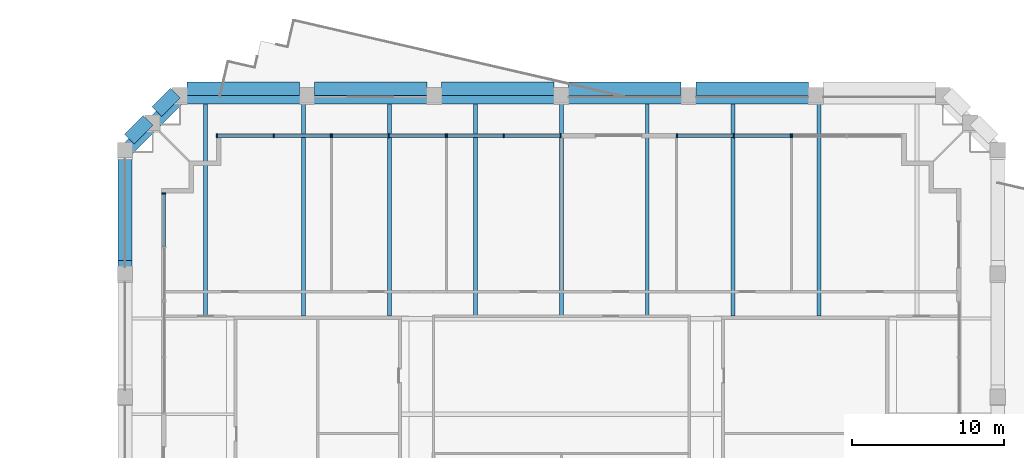
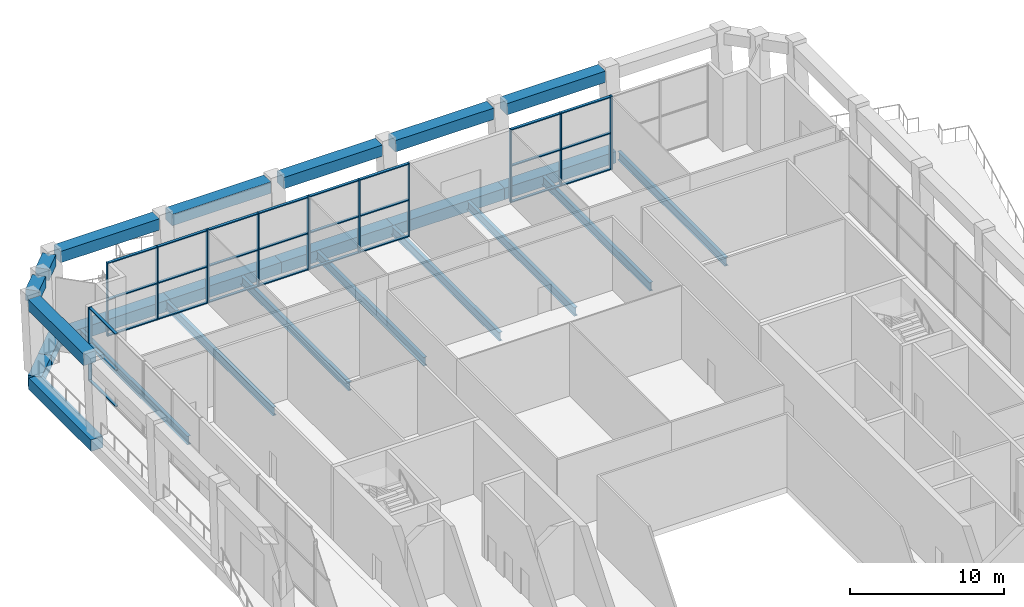
# One storey, part 7 of 20: 41 members, 24 beams, 6 elements without a shape of their own.
"""IFC4 building model written with IfcOpenShell, lengths in metres."""

from ifc_helpers import new_model, si_unit, direction, frame, origin, origin_2d, place, context, subcontext, project, spatial, rectangle, i_section, extrude, material, material_profile, profile_set, type_object, element, aggregate, save


model = new_model("IFC4")

# Units and contexts
model_context = context("Model", 3, precision=1e-05, world=origin(), true_north=direction((0.0, 1.0)))
body_context = subcontext(model_context, "Body", "Model", "MODEL_VIEW")
ifc_project = project(units=[si_unit("LENGTHUNIT", "METRE"), si_unit("AREAUNIT", "SQUARE_METRE"), si_unit("VOLUMEUNIT", "CUBIC_METRE"), si_unit("PLANEANGLEUNIT", "RADIAN"), si_unit("MASSUNIT", "GRAM", prefix="KILO")], contexts=[model_context])

# Site, building, storey
site_placement = place(None, origin())
site = spatial("IfcSite", under=ifc_project, at=site_placement, CompositionType="ELEMENT")
building_placement = place(site_placement, origin())
building = spatial("IfcBuilding", under=site, at=building_placement, Name="Ogive Exchange Tower", CompositionType="ELEMENT")
storey_placement = place(building_placement, frame((0.0, 0.0, 303.0)))
storey = spatial("IfcBuildingStorey", under=building, at=storey_placement, Name="L66", CompositionType="ELEMENT", Elevation=303.0)

# Beams
ifc_material_1 = material(Name="Steel ASTM A992 Gr50", Category="steel")
ifc_material_profile_1 = material_profile(ifc_material_1, i_section(OverallWidth=0.25390625, OverallDepth=0.677978515625, WebThickness=0.01171875, FlangeThickness=0.016357421875, at=origin_2d()), Name="W690x125")
ifc_profile_set_1 = profile_set([ifc_material_profile_1], Name="Steel ASTM A992 Gr50")
beam_type_1 = type_object("IfcBeamType", Name="Floor beam W690x125", PredefinedType="JOIST", material=ifc_profile_set_1)
beam_1_placement = place(storey_placement, frame((-23.360107421875, 40.93408203125, -0.7890625), z_axis=(0.0, 1.0, 0.0), x_axis=(-1.0, 0.0, 0.0)))
element("IfcBeam", 1, at=beam_1_placement, inside=storey, type_object=beam_type_1, Name="Floor beam", PredefinedType="JOIST", context=body_context, shape_type="SweptSolid", body=[
    extrude(i_section(OverallWidth=0.25390625, OverallDepth=0.677978515625, WebThickness=0.01171875, FlangeThickness=0.016357421875, at=origin_2d()), origin(), (0.0, 0.0, 1.0), 14.015869140625),
])
for number, where, z_axis, x_axis, name in (
    (2, (-16.919921875, 41.0, -0.7890625), (0.0, 1.0, 0.0), (-1.0, 0.0, 0.0), "Floor beam"),
    (3, (-11.280029296875, 41.0, -0.7890625), (0.0, 1.0, 0.0), (-1.0, 0.0, 0.0), "Floor beam"),
):
    element("IfcBeam", number, at=place(storey_placement, frame(where, z_axis=z_axis, x_axis=x_axis)), inside=storey, type_object=beam_type_1, Name=name, PredefinedType="JOIST", context=body_context, shape_type="SweptSolid", body=[
        extrude(i_section(OverallWidth=0.25390625, OverallDepth=0.677978515625, WebThickness=0.01171875, FlangeThickness=0.016357421875, at=origin_2d()), origin(), (0.0, 0.0, 1.0), 13.949951171875),
    ])
for number, where, z_axis, x_axis, name in (
    (4, (-5.639892578125, 40.9951171875, -0.7890625), (0.0, 1.0, 0.0), (-1.0, 0.0, 0.0), "Floor beam"),
    (5, (0.0, 40.9951171875, -0.7890625), (0.0, 1.0, 0.0), (-1.0, 0.0, 0.0), "Floor beam"),
    (6, (5.639892578125, 40.9951171875, -0.7890625), (0.0, 1.0, 0.0), (-1.0, 0.0, 0.0), "Floor beam"),
):
    element("IfcBeam", number, at=place(storey_placement, frame(where, z_axis=z_axis, x_axis=x_axis)), inside=storey, type_object=beam_type_1, Name=name, PredefinedType="JOIST", context=body_context, shape_type="SweptSolid", body=[
        extrude(i_section(OverallWidth=0.25390625, OverallDepth=0.677978515625, WebThickness=0.01171875, FlangeThickness=0.016357421875, at=origin_2d()), origin(), (0.0, 0.0, 1.0), 13.954833984375),
    ])
for number, where, z_axis, x_axis, name in (
    (7, (11.280029296875, 41.0, -0.7890625), (0.0, 1.0, 0.0), (-1.0, 0.0, 0.0), "Floor beam"),
    (8, (16.919921875, 41.0, -0.7890625), (0.0, 1.0, 0.0), (-1.0, 0.0, 0.0), "Floor beam"),
):
    element("IfcBeam", number, at=place(storey_placement, frame(where, z_axis=z_axis, x_axis=x_axis)), inside=storey, type_object=beam_type_1, Name=name, PredefinedType="JOIST", context=body_context, shape_type="SweptSolid", body=[
        extrude(i_section(OverallWidth=0.25390625, OverallDepth=0.677978515625, WebThickness=0.01171875, FlangeThickness=0.016357421875, at=origin_2d()), origin(), (0.0, 0.0, 1.0), 13.949951171875),
    ])
ifc_material_2 = material(Name="Precast concrete C70/85 (limestone faced)", Category="masonry")
ifc_material_profile_2 = material_profile(ifc_material_2, rectangle(XDim=0.89990234375, YDim=0.89990234375, at=origin_2d()), Name="900 x 900")
ifc_profile_set_2 = profile_set([ifc_material_profile_2], Name="Precast concrete C70/85 (limestone faced)")
beam_type_2 = type_object("IfcBeamType", Name="Precast spandrel 900 x 900 C70/85", PredefinedType="SPANDREL", material=ifc_profile_set_2)
beam_2_placement = place(storey_placement, frame((16.219970703125, 55.945556640625, 5.300048828125), z_axis=(-1.0, 0.0, 0.0), x_axis=(0.0, -1.0, 0.0)))
element("IfcBeam", 9, at=beam_2_placement, inside=storey, type_object=beam_type_2, Name="Spandrel 19", PredefinedType="SPANDREL", context=body_context, shape_type="SweptSolid", body=[
    extrude(rectangle(XDim=0.89990234375, YDim=0.89990234375, at=origin_2d()), origin(), (0.0, 0.0, 1.0), 7.389892578125),
])
for number, where, z_axis, x_axis, name in (
    (10, (7.8701171875, 55.945556640625, 5.300048828125), (-1.0, 0.0, 0.0), (0.0, -1.0, 0.0), "Spandrel 20"),
    (11, (-0.47998046875, 55.945556640625, 5.300048828125), (-1.0, 0.0, 0.0), (0.0, -1.0, 0.0), "Spandrel 21"),
):
    element("IfcBeam", number, at=place(storey_placement, frame(where, z_axis=z_axis, x_axis=x_axis)), inside=storey, type_object=beam_type_2, Name=name, PredefinedType="SPANDREL", context=body_context, shape_type="SweptSolid", body=[
        extrude(rectangle(XDim=0.89990234375, YDim=0.89990234375, at=origin_2d()), origin(), (0.0, 0.0, 1.0), 7.39013671875),
    ])
beam_3_placement = place(storey_placement, frame((-8.830078125, 55.945556640625, 5.300048828125), z_axis=(-1.0, 0.0, 0.0), x_axis=(0.0, -1.0, 0.0)))
element("IfcBeam", 12, at=beam_3_placement, inside=storey, type_object=beam_type_2, Name="Spandrel 22", PredefinedType="SPANDREL", context=body_context, shape_type="SweptSolid", body=[
    extrude(rectangle(XDim=0.89990234375, YDim=0.89990234375, at=origin_2d()), origin(), (0.0, 0.0, 1.0), 7.389892578125),
])
beam_4_placement = place(storey_placement, frame((-17.179931640625, 55.945556640625, 5.300048828125), z_axis=(-1.0, 0.0, 0.0), x_axis=(0.0, -1.0, 0.0)))
element("IfcBeam", 13, at=beam_4_placement, inside=storey, type_object=beam_type_2, Name="Spandrel 23", PredefinedType="SPANDREL", context=body_context, shape_type="SweptSolid", body=[
    extrude(rectangle(XDim=0.89990234375, YDim=0.89990234375, at=origin_2d()), origin(), (0.0, 0.0, 1.0), 7.39013671875),
])
for number, where, z_axis, x_axis, name in (
    (14, (-25.337890625, 55.65771484375, 5.300048828125), (-0.707036271462, -0.707177283881, 0.0), (0.707177283881, -0.707036271462, 0.0), "Spandrel 24"),
    (15, (-27.137939453125, 53.857666015625, 5.300048828125), (-0.707036271462, -0.707177283881, 0.0), (0.707177283881, -0.707036271462, 0.0), "Spandrel 25"),
):
    element("IfcBeam", number, at=place(storey_placement, frame(where, z_axis=z_axis, x_axis=x_axis)), inside=storey, type_object=beam_type_2, Name=name, PredefinedType="SPANDREL", context=body_context, shape_type="SweptSolid", body=[
        extrude(rectangle(XDim=0.89990234375, YDim=0.89990234375, at=origin_2d()), origin(), (0.0, 0.0, 1.0), 1.7314453125),
    ])
beam_5_placement = place(storey_placement, frame((-28.64990234375, 51.865478515625, 5.300048828125), z_axis=(0.0, -1.0, 0.0), x_axis=(1.0, 0.0, 0.0)))
element("IfcBeam", 16, at=beam_5_placement, inside=storey, type_object=beam_type_2, Name="Spandrel 26", PredefinedType="SPANDREL", context=body_context, shape_type="SweptSolid", body=[
    extrude(rectangle(XDim=0.89990234375, YDim=0.89990234375, at=origin_2d()), origin(), (0.0, 0.0, 1.0), 7.20361328125),
])
ifc_material_profile_3 = material_profile(ifc_material_2, rectangle(XDim=0.89990234375, YDim=0.89990234375, at=origin_2d()), Name="900 x 900")
ifc_profile_set_3 = profile_set([ifc_material_profile_3], Name="Precast concrete C70/85 (limestone faced)")
beam_type_3 = type_object("IfcBeamType", Name="Precast transfer girder 900 x 900 C70/85", PredefinedType="BEAM", material=ifc_profile_set_3)
beam_6_placement = place(storey_placement, frame((16.699951171875, 55.39990234375, -0.89990234375), z_axis=(-1.0, 0.0, 0.0), x_axis=(0.0, -1.0, 0.0)))
element("IfcBeam", 17, at=beam_6_placement, inside=storey, type_object=beam_type_3, Name="Transfer girder 19", PredefinedType="BEAM", context=body_context, shape_type="SweptSolid", body=[
    extrude(rectangle(XDim=0.89990234375, YDim=0.89990234375, at=origin_2d()), origin(), (0.0, 0.0, 1.0), 8.349853515625),
])
for number, where, z_axis, x_axis, name in (
    (18, (8.35009765625, 55.39990234375, -0.89990234375), (-1.0, 0.0, 0.0), (0.0, -1.0, 0.0), "Transfer girder 20"),
    (19, (0.0, 55.39990234375, -0.89990234375), (-1.0, 0.0, 0.0), (0.0, -1.0, 0.0), "Transfer girder 21"),
):
    element("IfcBeam", number, at=place(storey_placement, frame(where, z_axis=z_axis, x_axis=x_axis)), inside=storey, type_object=beam_type_3, Name=name, PredefinedType="BEAM", context=body_context, shape_type="SweptSolid", body=[
        extrude(rectangle(XDim=0.89990234375, YDim=0.89990234375, at=origin_2d()), origin(), (0.0, 0.0, 1.0), 8.35009765625),
    ])
beam_7_placement = place(storey_placement, frame((-8.35009765625, 55.39990234375, -0.89990234375), z_axis=(-1.0, 0.0, 0.0), x_axis=(0.0, -1.0, 0.0)))
element("IfcBeam", 20, at=beam_7_placement, inside=storey, type_object=beam_type_3, Name="Transfer girder 22", PredefinedType="BEAM", context=body_context, shape_type="SweptSolid", body=[
    extrude(rectangle(XDim=0.89990234375, YDim=0.89990234375, at=origin_2d()), origin(), (0.0, 0.0, 1.0), 8.349853515625),
])
beam_8_placement = place(storey_placement, frame((-16.699951171875, 55.39990234375, -0.89990234375), z_axis=(-1.0, 0.0, 0.0), x_axis=(0.0, -1.0, 0.0)))
element("IfcBeam", 21, at=beam_8_placement, inside=storey, type_object=beam_type_3, Name="Transfer girder 23", PredefinedType="BEAM", context=body_context, shape_type="SweptSolid", body=[
    extrude(rectangle(XDim=0.89990234375, YDim=0.89990234375, at=origin_2d()), origin(), (0.0, 0.0, 1.0), 8.35009765625),
])
for number, where, z_axis, x_axis, name in (
    (22, (-25.050048828125, 55.39990234375, -0.89990234375), (-0.707154735259, -0.707058823862, 0.0), (0.707058823862, -0.707154735259, 0.0), "Transfer girder 24"),
    (23, (-26.85009765625, 53.60009765625, -0.89990234375), (-0.707058823862, -0.707154735259, 0.0), (0.707154735259, -0.707058823862, 0.0), "Transfer girder 25"),
):
    element("IfcBeam", number, at=place(storey_placement, frame(where, z_axis=z_axis, x_axis=x_axis)), inside=storey, type_object=beam_type_3, Name=name, PredefinedType="BEAM", context=body_context, shape_type="SweptSolid", body=[
        extrude(rectangle(XDim=0.89990234375, YDim=0.89990234375, at=origin_2d()), origin(), (0.0, 0.0, 1.0), 2.54541015625),
    ])
beam_9_placement = place(storey_placement, frame((-28.64990234375, 51.800048828125, -0.89990234375), z_axis=(0.0, -1.0, 0.0), x_axis=(1.0, 0.0, 0.0)))
element("IfcBeam", 24, at=beam_9_placement, inside=storey, type_object=beam_type_3, Name="Transfer girder 26", PredefinedType="BEAM", context=body_context, shape_type="SweptSolid", body=[
    extrude(rectangle(XDim=0.89990234375, YDim=0.89990234375, at=origin_2d()), origin(), (0.0, 0.0, 1.0), 8.085693359375),
])

# Curtain wall, member
ifc_material_3 = material(Name="Anodised aluminium and clear glass", Category="aluminium")
curtain_wall_type = type_object("IfcCurtainWallType", Name="Winter garden glazing", PredefinedType="NOTDEFINED", material=ifc_material_3)
curtain_wall_1_placement = place(storey_placement, origin())
curtain_wall_1 = element("IfcCurtainWall", 25, at=curtain_wall_1_placement, inside=storey, type_object=curtain_wall_type, Name="Winter garden glazing run G14", PredefinedType="NOTDEFINED")
ifc_material_4 = material(Name="Anodised aluminium", Category="aluminium")
ifc_material_profile_4 = material_profile(ifc_material_4, rectangle(XDim=0.239990234375, YDim=0.080078125, at=origin_2d()), Name="AL 80x240")
ifc_profile_set_4 = profile_set([ifc_material_profile_4], Name="Anodised aluminium")
member_type_1 = type_object("IfcMemberType", Name="Winter garden glazing mullion 80 x 240", PredefinedType="MULLION", material=ifc_profile_set_4)
member_1_placement = place(storey_placement, frame((15.139892578125, 52.85009765625, 0.0), z_axis=(0.0, 0.0, 1.0), x_axis=(0.0, -1.0, 0.0)))
member_1 = element("IfcMember", 26, at=member_1_placement, type_object=member_type_1, Name="G14 mullion 3", PredefinedType="MULLION", context=body_context, shape_type="SweptSolid", body=[
    extrude(rectangle(XDim=0.239990234375, YDim=0.080078125, at=origin_2d()), origin(), (0.0, 0.0, 1.0), 5.800048828125),
])
aggregate(curtain_wall_1, [member_1])

# Curtain wall, members
curtain_wall_2_placement = place(storey_placement, origin())
curtain_wall_2 = element("IfcCurtainWall", 27, at=curtain_wall_2_placement, inside=storey, type_object=curtain_wall_type, Name="Winter garden glazing run G15", PredefinedType="NOTDEFINED")
member_2_placement = place(storey_placement, frame((15.06005859375, 52.85009765625, 0.0), z_axis=(0.0, 0.0, 1.0), x_axis=(0.0, -1.0, 0.0)))
member_2 = element("IfcMember", 28, at=member_2_placement, type_object=member_type_1, Name="G15 mullion 1", PredefinedType="MULLION", context=body_context, shape_type="SweptSolid", body=[
    extrude(rectangle(XDim=0.239990234375, YDim=0.080078125, at=origin_2d()), origin(), (0.0, 0.0, 1.0), 5.800048828125),
])
member_3_placement = place(storey_placement, frame((11.324951171875, 52.85009765625, 0.0), z_axis=(0.0, 0.0, 1.0), x_axis=(0.0, -1.0, 0.0)))
member_3 = element("IfcMember", 29, at=member_3_placement, type_object=member_type_1, Name="G15 mullion 2", PredefinedType="MULLION", context=body_context, shape_type="SweptSolid", body=[
    extrude(rectangle(XDim=0.239990234375, YDim=0.080078125, at=origin_2d()), origin(), (0.0, 0.0, 1.0), 5.800048828125),
])
member_4_placement = place(storey_placement, frame((7.590087890625, 52.85009765625, 0.0), z_axis=(0.0, 0.0, 1.0), x_axis=(0.0, -1.0, 0.0)))
member_4 = element("IfcMember", 30, at=member_4_placement, type_object=member_type_1, Name="G15 mullion 3", PredefinedType="MULLION", context=body_context, shape_type="SweptSolid", body=[
    extrude(rectangle(XDim=0.239990234375, YDim=0.080078125, at=origin_2d()), origin(), (0.0, 0.0, 1.0), 5.800048828125),
])

curtain_wall_3_placement = place(storey_placement, origin())
curtain_wall_3 = element("IfcCurtainWall", 31, at=curtain_wall_3_placement, inside=storey, type_object=curtain_wall_type, Name="Winter garden glazing run G17", PredefinedType="NOTDEFINED")
member_5_placement = place(storey_placement, frame((-0.0400390625, 52.85009765625, 0.0), z_axis=(0.0, 0.0, 1.0), x_axis=(0.0, -1.0, 0.0)))
member_5 = element("IfcMember", 32, at=member_5_placement, type_object=member_type_1, Name="G17 mullion 1", PredefinedType="MULLION", context=body_context, shape_type="SweptSolid", body=[
    extrude(rectangle(XDim=0.239990234375, YDim=0.080078125, at=origin_2d()), origin(), (0.0, 0.0, 1.0), 5.800048828125),
])
member_6_placement = place(storey_placement, frame((-3.77490234375, 52.85009765625, 0.0), z_axis=(0.0, 0.0, 1.0), x_axis=(0.0, -1.0, 0.0)))
member_6 = element("IfcMember", 33, at=member_6_placement, type_object=member_type_1, Name="G17 mullion 2", PredefinedType="MULLION", context=body_context, shape_type="SweptSolid", body=[
    extrude(rectangle(XDim=0.239990234375, YDim=0.080078125, at=origin_2d()), origin(), (0.0, 0.0, 1.0), 5.800048828125),
])
member_7_placement = place(storey_placement, frame((-7.510009765625, 52.85009765625, 0.0), z_axis=(0.0, 0.0, 1.0), x_axis=(0.0, -1.0, 0.0)))
member_7 = element("IfcMember", 34, at=member_7_placement, type_object=member_type_1, Name="G17 mullion 3", PredefinedType="MULLION", context=body_context, shape_type="SweptSolid", body=[
    extrude(rectangle(XDim=0.239990234375, YDim=0.080078125, at=origin_2d()), origin(), (0.0, 0.0, 1.0), 5.800048828125),
])

curtain_wall_4_placement = place(storey_placement, origin())
curtain_wall_4 = element("IfcCurtainWall", 35, at=curtain_wall_4_placement, inside=storey, type_object=curtain_wall_type, Name="Winter garden glazing run G18", PredefinedType="NOTDEFINED")
member_8_placement = place(storey_placement, frame((-7.590087890625, 52.85009765625, 0.0), z_axis=(0.0, 0.0, 1.0), x_axis=(0.0, -1.0, 0.0)))
member_8 = element("IfcMember", 36, at=member_8_placement, type_object=member_type_1, Name="G18 mullion 1", PredefinedType="MULLION", context=body_context, shape_type="SweptSolid", body=[
    extrude(rectangle(XDim=0.239990234375, YDim=0.080078125, at=origin_2d()), origin(), (0.0, 0.0, 1.0), 5.800048828125),
])
member_9_placement = place(storey_placement, frame((-11.324951171875, 52.85009765625, 0.0), z_axis=(0.0, 0.0, 1.0), x_axis=(0.0, -1.0, 0.0)))
member_9 = element("IfcMember", 37, at=member_9_placement, type_object=member_type_1, Name="G18 mullion 2", PredefinedType="MULLION", context=body_context, shape_type="SweptSolid", body=[
    extrude(rectangle(XDim=0.239990234375, YDim=0.080078125, at=origin_2d()), origin(), (0.0, 0.0, 1.0), 5.800048828125),
])
member_10_placement = place(storey_placement, frame((-15.06005859375, 52.85009765625, 0.0), z_axis=(0.0, 0.0, 1.0), x_axis=(0.0, -1.0, 0.0)))
member_10 = element("IfcMember", 38, at=member_10_placement, type_object=member_type_1, Name="G18 mullion 3", PredefinedType="MULLION", context=body_context, shape_type="SweptSolid", body=[
    extrude(rectangle(XDim=0.239990234375, YDim=0.080078125, at=origin_2d()), origin(), (0.0, 0.0, 1.0), 5.800048828125),
])

curtain_wall_5_placement = place(storey_placement, origin())
curtain_wall_5 = element("IfcCurtainWall", 39, at=curtain_wall_5_placement, inside=storey, type_object=curtain_wall_type, Name="Winter garden glazing run G19", PredefinedType="NOTDEFINED")
member_11_placement = place(storey_placement, frame((-15.139892578125, 52.85009765625, 0.0), z_axis=(0.0, 0.0, 1.0), x_axis=(0.0, -1.0, 0.0)))
member_11 = element("IfcMember", 40, at=member_11_placement, type_object=member_type_1, Name="G19 mullion 1", PredefinedType="MULLION", context=body_context, shape_type="SweptSolid", body=[
    extrude(rectangle(XDim=0.239990234375, YDim=0.080078125, at=origin_2d()), origin(), (0.0, 0.0, 1.0), 5.800048828125),
])
member_12_placement = place(storey_placement, frame((-18.875, 52.85009765625, 0.0), z_axis=(0.0, 0.0, 1.0), x_axis=(0.0, -1.0, 0.0)))
member_12 = element("IfcMember", 41, at=member_12_placement, type_object=member_type_1, Name="G19 mullion 2", PredefinedType="MULLION", context=body_context, shape_type="SweptSolid", body=[
    extrude(rectangle(XDim=0.239990234375, YDim=0.080078125, at=origin_2d()), origin(), (0.0, 0.0, 1.0), 5.800048828125),
])
member_13_placement = place(storey_placement, frame((-22.610107421875, 52.85009765625, 0.0), z_axis=(0.0, 0.0, 1.0), x_axis=(0.0, -1.0, 0.0)))
member_13 = element("IfcMember", 42, at=member_13_placement, type_object=member_type_1, Name="G19 mullion 3", PredefinedType="MULLION", context=body_context, shape_type="SweptSolid", body=[
    extrude(rectangle(XDim=0.239990234375, YDim=0.080078125, at=origin_2d()), origin(), (0.0, 0.0, 1.0), 5.800048828125),
])

# Curtain wall, member
curtain_wall_6_placement = place(storey_placement, origin())
curtain_wall_6 = element("IfcCurtainWall", 43, at=curtain_wall_6_placement, inside=storey, type_object=curtain_wall_type, Name="Winter garden glazing run G20", PredefinedType="NOTDEFINED")
member_14_placement = place(storey_placement, frame((-26.10009765625, 49.06005859375, 0.0), z_axis=(0.0, 0.0, 1.0), x_axis=(1.0, 0.0, 0.0)))
member_14 = element("IfcMember", 44, at=member_14_placement, type_object=member_type_1, Name="G20 mullion 1", PredefinedType="MULLION", context=body_context, shape_type="SweptSolid", body=[
    extrude(rectangle(XDim=0.239990234375, YDim=0.080078125, at=origin_2d()), origin(), (0.0, 0.0, 1.0), 5.800048828125),
])

# Member
ifc_material_profile_5 = material_profile(ifc_material_4, rectangle(XDim=0.199951171875, YDim=0.080078125, at=origin_2d()), Name="AL 80x200")
ifc_profile_set_5 = profile_set([ifc_material_profile_5], Name="Anodised aluminium")
member_type_2 = type_object("IfcMemberType", Name="Winter garden glazing transom 80 x 200", PredefinedType="USERDEFINED", material=ifc_profile_set_5)
member_15_placement = place(storey_placement, frame((15.02001953125, 52.85009765625, 0.0400390625), z_axis=(-1.0, 0.0, 0.0), x_axis=(0.0, -1.0, 0.0)))
member_15 = element("IfcMember", 45, at=member_15_placement, type_object=member_type_2, Name="G15 transom 1.1", ObjectType="TRANSOM", PredefinedType="USERDEFINED", context=body_context, shape_type="SweptSolid", body=[
    extrude(rectangle(XDim=0.199951171875, YDim=0.080078125, at=origin_2d()), origin(), (0.0, 0.0, 1.0), 3.655029296875),
])

member_16_placement = place(storey_placement, frame((15.02001953125, 52.85009765625, 2.89990234375), z_axis=(-1.0, 0.0, 0.0), x_axis=(0.0, -1.0, 0.0)))
member_16 = element("IfcMember", 46, at=member_16_placement, type_object=member_type_2, Name="G15 transom 1.2", ObjectType="TRANSOM", PredefinedType="USERDEFINED", context=body_context, shape_type="SweptSolid", body=[
    extrude(rectangle(XDim=0.199951171875, YDim=0.080078125, at=origin_2d()), origin(), (0.0, 0.0, 1.0), 3.655029296875),
])

member_17_placement = place(storey_placement, frame((15.02001953125, 52.85009765625, 5.760009765625), z_axis=(-1.0, 0.0, 0.0), x_axis=(0.0, -1.0, 0.0)))
member_17 = element("IfcMember", 47, at=member_17_placement, type_object=member_type_2, Name="G15 transom 1.3", ObjectType="TRANSOM", PredefinedType="USERDEFINED", context=body_context, shape_type="SweptSolid", body=[
    extrude(rectangle(XDim=0.199951171875, YDim=0.080078125, at=origin_2d()), origin(), (0.0, 0.0, 1.0), 3.655029296875),
])

member_18_placement = place(storey_placement, frame((11.284912109375, 52.85009765625, 0.0400390625), z_axis=(-1.0, 0.0, 0.0), x_axis=(0.0, -1.0, 0.0)))
member_18 = element("IfcMember", 48, at=member_18_placement, type_object=member_type_2, Name="G15 transom 2.1", ObjectType="TRANSOM", PredefinedType="USERDEFINED", context=body_context, shape_type="SweptSolid", body=[
    extrude(rectangle(XDim=0.199951171875, YDim=0.080078125, at=origin_2d()), origin(), (0.0, 0.0, 1.0), 3.655029296875),
])

member_19_placement = place(storey_placement, frame((11.284912109375, 52.85009765625, 2.89990234375), z_axis=(-1.0, 0.0, 0.0), x_axis=(0.0, -1.0, 0.0)))
member_19 = element("IfcMember", 49, at=member_19_placement, type_object=member_type_2, Name="G15 transom 2.2", ObjectType="TRANSOM", PredefinedType="USERDEFINED", context=body_context, shape_type="SweptSolid", body=[
    extrude(rectangle(XDim=0.199951171875, YDim=0.080078125, at=origin_2d()), origin(), (0.0, 0.0, 1.0), 3.655029296875),
])

member_20_placement = place(storey_placement, frame((11.284912109375, 52.85009765625, 5.760009765625), z_axis=(-1.0, 0.0, 0.0), x_axis=(0.0, -1.0, 0.0)))
member_20 = element("IfcMember", 50, at=member_20_placement, type_object=member_type_2, Name="G15 transom 2.3", ObjectType="TRANSOM", PredefinedType="USERDEFINED", context=body_context, shape_type="SweptSolid", body=[
    extrude(rectangle(XDim=0.199951171875, YDim=0.080078125, at=origin_2d()), origin(), (0.0, 0.0, 1.0), 3.655029296875),
])

aggregate(curtain_wall_2, [member_2, member_3, member_4, member_15, member_16, member_17, member_18, member_19, member_20])

member_21_placement = place(storey_placement, frame((-0.080078125, 52.85009765625, 0.0400390625), z_axis=(-1.0, 0.0, 0.0), x_axis=(0.0, -1.0, 0.0)))
member_21 = element("IfcMember", 51, at=member_21_placement, type_object=member_type_2, Name="G17 transom 1.1", ObjectType="TRANSOM", PredefinedType="USERDEFINED", context=body_context, shape_type="SweptSolid", body=[
    extrude(rectangle(XDim=0.199951171875, YDim=0.080078125, at=origin_2d()), origin(), (0.0, 0.0, 1.0), 3.655029296875),
])

member_22_placement = place(storey_placement, frame((-0.080078125, 52.85009765625, 2.89990234375), z_axis=(-1.0, 0.0, 0.0), x_axis=(0.0, -1.0, 0.0)))
member_22 = element("IfcMember", 52, at=member_22_placement, type_object=member_type_2, Name="G17 transom 1.2", ObjectType="TRANSOM", PredefinedType="USERDEFINED", context=body_context, shape_type="SweptSolid", body=[
    extrude(rectangle(XDim=0.199951171875, YDim=0.080078125, at=origin_2d()), origin(), (0.0, 0.0, 1.0), 3.655029296875),
])

member_23_placement = place(storey_placement, frame((-0.080078125, 52.85009765625, 5.760009765625), z_axis=(-1.0, 0.0, 0.0), x_axis=(0.0, -1.0, 0.0)))
member_23 = element("IfcMember", 53, at=member_23_placement, type_object=member_type_2, Name="G17 transom 1.3", ObjectType="TRANSOM", PredefinedType="USERDEFINED", context=body_context, shape_type="SweptSolid", body=[
    extrude(rectangle(XDim=0.199951171875, YDim=0.080078125, at=origin_2d()), origin(), (0.0, 0.0, 1.0), 3.655029296875),
])

member_24_placement = place(storey_placement, frame((-3.81494140625, 52.85009765625, 0.0400390625), z_axis=(-1.0, 0.0, 0.0), x_axis=(0.0, -1.0, 0.0)))
member_24 = element("IfcMember", 54, at=member_24_placement, type_object=member_type_2, Name="G17 transom 2.1", ObjectType="TRANSOM", PredefinedType="USERDEFINED", context=body_context, shape_type="SweptSolid", body=[
    extrude(rectangle(XDim=0.199951171875, YDim=0.080078125, at=origin_2d()), origin(), (0.0, 0.0, 1.0), 3.655029296875),
])

member_25_placement = place(storey_placement, frame((-3.81494140625, 52.85009765625, 2.89990234375), z_axis=(-1.0, 0.0, 0.0), x_axis=(0.0, -1.0, 0.0)))
member_25 = element("IfcMember", 55, at=member_25_placement, type_object=member_type_2, Name="G17 transom 2.2", ObjectType="TRANSOM", PredefinedType="USERDEFINED", context=body_context, shape_type="SweptSolid", body=[
    extrude(rectangle(XDim=0.199951171875, YDim=0.080078125, at=origin_2d()), origin(), (0.0, 0.0, 1.0), 3.655029296875),
])

member_26_placement = place(storey_placement, frame((-3.81494140625, 52.85009765625, 5.760009765625), z_axis=(-1.0, 0.0, 0.0), x_axis=(0.0, -1.0, 0.0)))
member_26 = element("IfcMember", 56, at=member_26_placement, type_object=member_type_2, Name="G17 transom 2.3", ObjectType="TRANSOM", PredefinedType="USERDEFINED", context=body_context, shape_type="SweptSolid", body=[
    extrude(rectangle(XDim=0.199951171875, YDim=0.080078125, at=origin_2d()), origin(), (0.0, 0.0, 1.0), 3.655029296875),
])

aggregate(curtain_wall_3, [member_5, member_6, member_7, member_21, member_22, member_23, member_24, member_25, member_26])

member_27_placement = place(storey_placement, frame((-7.6298828125, 52.85009765625, 0.0400390625), z_axis=(-1.0, 0.0, 0.0), x_axis=(0.0, -1.0, 0.0)))
member_27 = element("IfcMember", 57, at=member_27_placement, type_object=member_type_2, Name="G18 transom 1.1", ObjectType="TRANSOM", PredefinedType="USERDEFINED", context=body_context, shape_type="SweptSolid", body=[
    extrude(rectangle(XDim=0.199951171875, YDim=0.080078125, at=origin_2d()), origin(), (0.0, 0.0, 1.0), 3.655029296875),
])

member_28_placement = place(storey_placement, frame((-7.6298828125, 52.85009765625, 2.89990234375), z_axis=(-1.0, 0.0, 0.0), x_axis=(0.0, -1.0, 0.0)))
member_28 = element("IfcMember", 58, at=member_28_placement, type_object=member_type_2, Name="G18 transom 1.2", ObjectType="TRANSOM", PredefinedType="USERDEFINED", context=body_context, shape_type="SweptSolid", body=[
    extrude(rectangle(XDim=0.199951171875, YDim=0.080078125, at=origin_2d()), origin(), (0.0, 0.0, 1.0), 3.655029296875),
])

member_29_placement = place(storey_placement, frame((-7.6298828125, 52.85009765625, 5.760009765625), z_axis=(-1.0, 0.0, 0.0), x_axis=(0.0, -1.0, 0.0)))
member_29 = element("IfcMember", 59, at=member_29_placement, type_object=member_type_2, Name="G18 transom 1.3", ObjectType="TRANSOM", PredefinedType="USERDEFINED", context=body_context, shape_type="SweptSolid", body=[
    extrude(rectangle(XDim=0.199951171875, YDim=0.080078125, at=origin_2d()), origin(), (0.0, 0.0, 1.0), 3.655029296875),
])

member_30_placement = place(storey_placement, frame((-11.364990234375, 52.85009765625, 0.0400390625), z_axis=(-1.0, 0.0, 0.0), x_axis=(0.0, -1.0, 0.0)))
member_30 = element("IfcMember", 60, at=member_30_placement, type_object=member_type_2, Name="G18 transom 2.1", ObjectType="TRANSOM", PredefinedType="USERDEFINED", context=body_context, shape_type="SweptSolid", body=[
    extrude(rectangle(XDim=0.199951171875, YDim=0.080078125, at=origin_2d()), origin(), (0.0, 0.0, 1.0), 3.655029296875),
])

member_31_placement = place(storey_placement, frame((-11.364990234375, 52.85009765625, 2.89990234375), z_axis=(-1.0, 0.0, 0.0), x_axis=(0.0, -1.0, 0.0)))
member_31 = element("IfcMember", 61, at=member_31_placement, type_object=member_type_2, Name="G18 transom 2.2", ObjectType="TRANSOM", PredefinedType="USERDEFINED", context=body_context, shape_type="SweptSolid", body=[
    extrude(rectangle(XDim=0.199951171875, YDim=0.080078125, at=origin_2d()), origin(), (0.0, 0.0, 1.0), 3.655029296875),
])

member_32_placement = place(storey_placement, frame((-11.364990234375, 52.85009765625, 5.760009765625), z_axis=(-1.0, 0.0, 0.0), x_axis=(0.0, -1.0, 0.0)))
member_32 = element("IfcMember", 62, at=member_32_placement, type_object=member_type_2, Name="G18 transom 2.3", ObjectType="TRANSOM", PredefinedType="USERDEFINED", context=body_context, shape_type="SweptSolid", body=[
    extrude(rectangle(XDim=0.199951171875, YDim=0.080078125, at=origin_2d()), origin(), (0.0, 0.0, 1.0), 3.655029296875),
])

aggregate(curtain_wall_4, [member_8, member_9, member_10, member_27, member_28, member_29, member_30, member_31, member_32])

member_33_placement = place(storey_placement, frame((-15.179931640625, 52.85009765625, 0.0400390625), z_axis=(-1.0, 0.0, 0.0), x_axis=(0.0, -1.0, 0.0)))
member_33 = element("IfcMember", 63, at=member_33_placement, type_object=member_type_2, Name="G19 transom 1.1", ObjectType="TRANSOM", PredefinedType="USERDEFINED", context=body_context, shape_type="SweptSolid", body=[
    extrude(rectangle(XDim=0.199951171875, YDim=0.080078125, at=origin_2d()), origin(), (0.0, 0.0, 1.0), 3.655029296875),
])

member_34_placement = place(storey_placement, frame((-15.179931640625, 52.85009765625, 2.89990234375), z_axis=(-1.0, 0.0, 0.0), x_axis=(0.0, -1.0, 0.0)))
member_34 = element("IfcMember", 64, at=member_34_placement, type_object=member_type_2, Name="G19 transom 1.2", ObjectType="TRANSOM", PredefinedType="USERDEFINED", context=body_context, shape_type="SweptSolid", body=[
    extrude(rectangle(XDim=0.199951171875, YDim=0.080078125, at=origin_2d()), origin(), (0.0, 0.0, 1.0), 3.655029296875),
])

member_35_placement = place(storey_placement, frame((-15.179931640625, 52.85009765625, 5.760009765625), z_axis=(-1.0, 0.0, 0.0), x_axis=(0.0, -1.0, 0.0)))
member_35 = element("IfcMember", 65, at=member_35_placement, type_object=member_type_2, Name="G19 transom 1.3", ObjectType="TRANSOM", PredefinedType="USERDEFINED", context=body_context, shape_type="SweptSolid", body=[
    extrude(rectangle(XDim=0.199951171875, YDim=0.080078125, at=origin_2d()), origin(), (0.0, 0.0, 1.0), 3.655029296875),
])

member_36_placement = place(storey_placement, frame((-18.9150390625, 52.85009765625, 0.0400390625), z_axis=(-1.0, 0.0, 0.0), x_axis=(0.0, -1.0, 0.0)))
member_36 = element("IfcMember", 66, at=member_36_placement, type_object=member_type_2, Name="G19 transom 2.1", ObjectType="TRANSOM", PredefinedType="USERDEFINED", context=body_context, shape_type="SweptSolid", body=[
    extrude(rectangle(XDim=0.199951171875, YDim=0.080078125, at=origin_2d()), origin(), (0.0, 0.0, 1.0), 3.655029296875),
])

member_37_placement = place(storey_placement, frame((-18.9150390625, 52.85009765625, 2.89990234375), z_axis=(-1.0, 0.0, 0.0), x_axis=(0.0, -1.0, 0.0)))
member_37 = element("IfcMember", 67, at=member_37_placement, type_object=member_type_2, Name="G19 transom 2.2", ObjectType="TRANSOM", PredefinedType="USERDEFINED", context=body_context, shape_type="SweptSolid", body=[
    extrude(rectangle(XDim=0.199951171875, YDim=0.080078125, at=origin_2d()), origin(), (0.0, 0.0, 1.0), 3.655029296875),
])

member_38_placement = place(storey_placement, frame((-18.9150390625, 52.85009765625, 5.760009765625), z_axis=(-1.0, 0.0, 0.0), x_axis=(0.0, -1.0, 0.0)))
member_38 = element("IfcMember", 68, at=member_38_placement, type_object=member_type_2, Name="G19 transom 2.3", ObjectType="TRANSOM", PredefinedType="USERDEFINED", context=body_context, shape_type="SweptSolid", body=[
    extrude(rectangle(XDim=0.199951171875, YDim=0.080078125, at=origin_2d()), origin(), (0.0, 0.0, 1.0), 3.655029296875),
])

aggregate(curtain_wall_5, [member_11, member_12, member_13, member_33, member_34, member_35, member_36, member_37, member_38])

member_39_placement = place(storey_placement, frame((-26.10009765625, 49.02001953125, 0.0400390625), z_axis=(0.0, -1.0, 0.0), x_axis=(1.0, 0.0, 0.0)))
member_39 = element("IfcMember", 69, at=member_39_placement, type_object=member_type_2, Name="G20 transom 1.1", ObjectType="TRANSOM", PredefinedType="USERDEFINED", context=body_context, shape_type="SweptSolid", body=[
    extrude(rectangle(XDim=0.199951171875, YDim=0.080078125, at=origin_2d()), origin(), (0.0, 0.0, 1.0), 3.429931640625),
])

member_40_placement = place(storey_placement, frame((-26.10009765625, 49.02001953125, 2.89990234375), z_axis=(0.0, -1.0, 0.0), x_axis=(1.0, 0.0, 0.0)))
member_40 = element("IfcMember", 70, at=member_40_placement, type_object=member_type_2, Name="G20 transom 1.2", ObjectType="TRANSOM", PredefinedType="USERDEFINED", context=body_context, shape_type="SweptSolid", body=[
    extrude(rectangle(XDim=0.199951171875, YDim=0.080078125, at=origin_2d()), origin(), (0.0, 0.0, 1.0), 3.429931640625),
])

member_41_placement = place(storey_placement, frame((-26.10009765625, 49.02001953125, 5.760009765625), z_axis=(0.0, -1.0, 0.0), x_axis=(1.0, 0.0, 0.0)))
member_41 = element("IfcMember", 71, at=member_41_placement, type_object=member_type_2, Name="G20 transom 1.3", ObjectType="TRANSOM", PredefinedType="USERDEFINED", context=body_context, shape_type="SweptSolid", body=[
    extrude(rectangle(XDim=0.199951171875, YDim=0.080078125, at=origin_2d()), origin(), (0.0, 0.0, 1.0), 3.429931640625),
])

aggregate(curtain_wall_6, [member_14, member_39, member_40, member_41])

save(model, "model.ifc")
